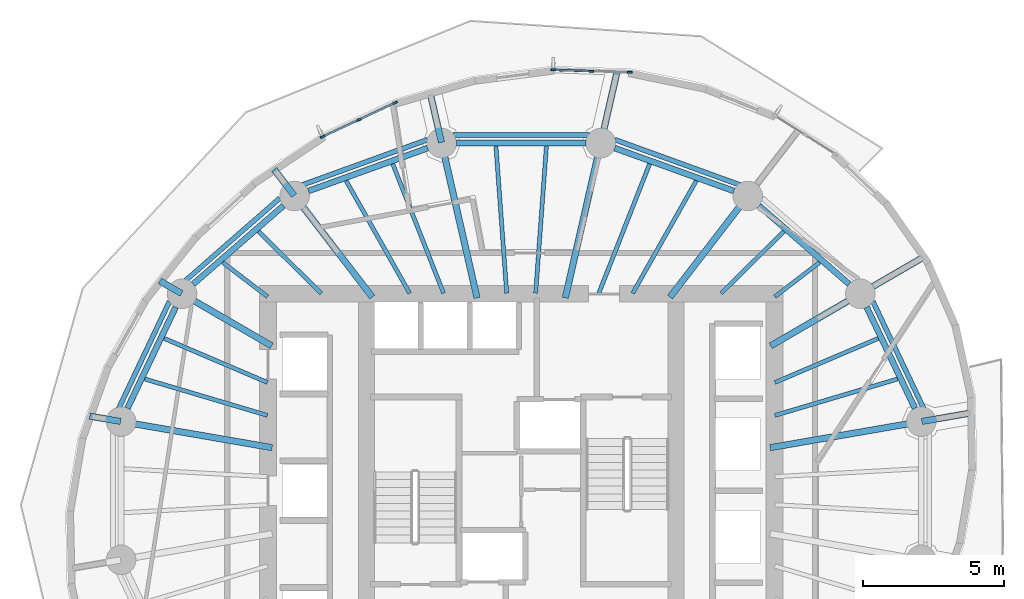
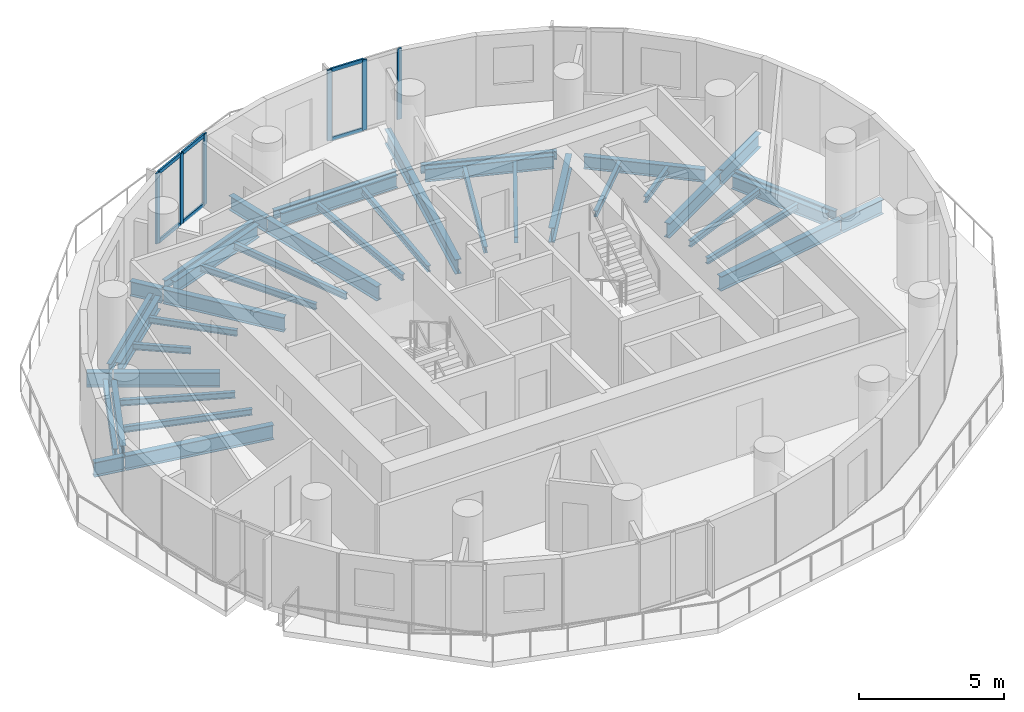
# One storey, part 3 of 13: 42 beams, 12 members, 2 elements without a shape of their own.
"""IFC4 building model written with IfcOpenShell, lengths in metres."""

from ifc_helpers import new_model, si_unit, direction, frame, origin, origin_2d, place, context, subcontext, project, spatial, rectangle, i_section, extrude, material, material_profile, profile_set, type_object, element, aggregate, save


model = new_model("IFC4")

# Units and contexts
model_context = context("Model", 3, precision=1e-05, world=origin(), true_north=direction((0.0, 1.0)))
body_context = subcontext(model_context, "Body", "Model", "MODEL_VIEW")
ifc_project = project(units=[si_unit("LENGTHUNIT", "METRE"), si_unit("AREAUNIT", "SQUARE_METRE"), si_unit("VOLUMEUNIT", "CUBIC_METRE"), si_unit("PLANEANGLEUNIT", "RADIAN"), si_unit("MASSUNIT", "GRAM", prefix="KILO")], contexts=[model_context])

# Site, building, storey
site_placement = place(None, origin())
site = spatial("IfcSite", under=ifc_project, at=site_placement, CompositionType="ELEMENT")
building_placement = place(site_placement, origin())
building = spatial("IfcBuilding", under=site, at=building_placement, Name="Veldorim Arch Residences", CompositionType="ELEMENT")
storey_placement = place(building_placement, frame((0.0, 0.0, 120.159912109375)))
storey = spatial("IfcBuildingStorey", under=building, at=storey_placement, Name="L35", CompositionType="ELEMENT", Elevation=120.159912109375)

# Beams
ifc_material_1 = material(Name="Steel S355", Category="steel")
ifc_material_profile_1 = material_profile(ifc_material_1, i_section(OverallWidth=0.2099609375, OverallDepth=0.53662109375, WebThickness=0.0107421875, FlangeThickness=0.017333984375, at=origin_2d()), Name="UB533x210x101")
ifc_profile_set_1 = profile_set([ifc_material_profile_1], Name="Steel S355")
beam_type_1 = type_object("IfcBeamType", Name="Structural Steel Beam UB533x210x101", PredefinedType="BEAM", material=ifc_profile_set_1)
beam_1_placement = place(storey_placement, frame((45.99560546875, 26.931884765625, -0.50830078125), z_axis=(-0.43028577851, 0.902692721147, 0.0), x_axis=(-0.902692721147, -0.43028577851, 0.0)))
element("IfcBeam", 1, at=beam_1_placement, inside=storey, type_object=beam_type_1, Name="L35 perimeter ring tie beam 01", PredefinedType="BEAM", context=body_context, shape_type="SweptSolid", body=[
    extrude(i_section(OverallWidth=0.2099609375, OverallDepth=0.53662109375, WebThickness=0.0107421875, FlangeThickness=0.017333984375, at=origin_2d()), origin(), (0.0, 0.0, 1.0), 3.98193359375),
])
beam_2_placement = place(storey_placement, frame((43.659912109375, 31.344482421875, -0.50830078125), z_axis=(-0.754810789581, 0.655942582802, 0.0), x_axis=(-0.655942582802, -0.754810789581, 0.0)))
element("IfcBeam", 2, at=beam_2_placement, inside=storey, type_object=beam_type_1, Name="L35 perimeter ring tie beam 02", PredefinedType="BEAM", context=body_context, shape_type="SweptSolid", body=[
    extrude(i_section(OverallWidth=0.2099609375, OverallDepth=0.53662109375, WebThickness=0.0107421875, FlangeThickness=0.017333984375, at=origin_2d()), origin(), (0.0, 0.0, 1.0), 4.249755859375),
])
beam_3_placement = place(storey_placement, frame((39.561767578125, 34.654296875, -0.50830078125), z_axis=(-0.940899155006, 0.338686846673, 0.0), x_axis=(-0.338686846673, -0.940899155006, 0.0)))
element("IfcBeam", 3, at=beam_3_placement, inside=storey, type_object=beam_type_1, Name="L35 perimeter ring tie beam 03", PredefinedType="BEAM", context=body_context, shape_type="SweptSolid", body=[
    extrude(i_section(OverallWidth=0.2099609375, OverallDepth=0.53662109375, WebThickness=0.0107421875, FlangeThickness=0.017333984375, at=origin_2d()), origin(), (0.0, 0.0, 1.0), 4.50537109375),
])
beam_4_placement = place(storey_placement, frame((34.3037109375, 36.35791015625, -0.50830078125), z_axis=(-1.0, 0.0, 0.0), x_axis=(0.0, -1.0, 0.0)))
element("IfcBeam", 4, at=beam_4_placement, inside=storey, type_object=beam_type_1, Name="L35 perimeter ring tie beam 04", PredefinedType="BEAM", context=body_context, shape_type="SweptSolid", body=[
    extrude(i_section(OverallWidth=0.2099609375, OverallDepth=0.53662109375, WebThickness=0.0107421875, FlangeThickness=0.017333984375, at=origin_2d()), origin(), (0.0, 0.0, 1.0), 4.607421875),
])
beam_5_placement = place(storey_placement, frame((28.67724609375, 36.18017578125, -0.50830078125), z_axis=(-0.940899155006, -0.338686846673, 0.0), x_axis=(0.338686846673, -0.940899155006, 0.0)))
element("IfcBeam", 5, at=beam_5_placement, inside=storey, type_object=beam_type_1, Name="L35 perimeter ring tie beam 05", PredefinedType="BEAM", context=body_context, shape_type="SweptSolid", body=[
    extrude(i_section(OverallWidth=0.2099609375, OverallDepth=0.53662109375, WebThickness=0.0107421875, FlangeThickness=0.017333984375, at=origin_2d()), origin(), (0.0, 0.0, 1.0), 4.50537109375),
])
beam_6_placement = place(storey_placement, frame((23.5478515625, 34.132080078125, -0.50830078125), z_axis=(-0.754810789581, -0.655942582802, 0.0), x_axis=(0.655942582802, -0.754810789581, 0.0)))
element("IfcBeam", 6, at=beam_6_placement, inside=storey, type_object=beam_type_1, Name="L35 perimeter ring tie beam 06", PredefinedType="BEAM", context=body_context, shape_type="SweptSolid", body=[
    extrude(i_section(OverallWidth=0.2099609375, OverallDepth=0.53662109375, WebThickness=0.0107421875, FlangeThickness=0.017333984375, at=origin_2d()), origin(), (0.0, 0.0, 1.0), 4.249755859375),
])
beam_7_placement = place(storey_placement, frame((19.7177734375, 30.5263671875, -0.50830078125), z_axis=(-0.43028577851, -0.902692721147, 0.0), x_axis=(0.902692721147, -0.43028577851, 0.0)))
element("IfcBeam", 7, at=beam_7_placement, inside=storey, type_object=beam_type_1, Name="L35 perimeter ring tie beam 07", PredefinedType="BEAM", context=body_context, shape_type="SweptSolid", body=[
    extrude(i_section(OverallWidth=0.2099609375, OverallDepth=0.53662109375, WebThickness=0.0107421875, FlangeThickness=0.017333984375, at=origin_2d()), origin(), (0.0, 0.0, 1.0), 3.98193359375),
])
ifc_material_2 = material(Name="Steel S355", Category="steel")
ifc_material_profile_2 = material_profile(ifc_material_2, i_section(OverallWidth=0.22900390625, OverallDepth=0.6123046875, WebThickness=0.011962890625, FlangeThickness=0.01953125, at=origin_2d()), Name="UB610x229x125")
ifc_profile_set_2 = profile_set([ifc_material_profile_2], Name="Steel S355")
beam_type_2 = type_object("IfcBeamType", Name="Structural Steel Beam UB610x229x125", PredefinedType="BEAM", material=ifc_profile_set_2)
beam_8_placement = place(storey_placement, frame((40.852294921875, 25.530029296875, -0.5458984375), z_axis=(0.985390445301, 0.170310511449, 0.0), x_axis=(-0.170310511449, 0.985390445301, 0.0)))
element("IfcBeam", 8, at=beam_8_placement, inside=storey, type_object=beam_type_2, Name="L35 radial floor girder 01", PredefinedType="BEAM", context=body_context, shape_type="SweptSolid", body=[
    extrude(i_section(OverallWidth=0.22900390625, OverallDepth=0.6123046875, WebThickness=0.011962890625, FlangeThickness=0.01953125, at=origin_2d()), origin(), (0.0, 0.0, 1.0), 5.4287109375),
])
beam_9_placement = place(storey_placement, frame((46.2412109375, 26.46142578125, -0.5458984375), z_axis=(0.985383639517, 0.170349883982, 0.0), x_axis=(-0.170349883982, 0.985383639517, 0.0)))
element("IfcBeam", 9, at=beam_9_placement, inside=storey, type_object=beam_type_2, Name="L35 radial edge cantilever girder 01", PredefinedType="BEAM", context=body_context, shape_type="SweptSolid", body=[
    extrude(i_section(OverallWidth=0.22900390625, OverallDepth=0.6123046875, WebThickness=0.011962890625, FlangeThickness=0.01953125, at=origin_2d()), origin(), (0.0, 0.0, 1.0), 1.80859375),
])
beam_10_placement = place(storey_placement, frame((40.870361328125, 29.150390625, -0.5458984375), z_axis=(0.864794546612, 0.502125872815, 0.0), x_axis=(-0.502125872815, 0.864794546612, 0.0)))
element("IfcBeam", 10, at=beam_10_placement, inside=storey, type_object=beam_type_2, Name="L35 radial floor girder 02", PredefinedType="BEAM", context=body_context, shape_type="SweptSolid", body=[
    extrude(i_section(OverallWidth=0.22900390625, OverallDepth=0.6123046875, WebThickness=0.011962890625, FlangeThickness=0.01953125, at=origin_2d()), origin(), (0.0, 0.0, 1.0), 3.6640625),
])
beam_11_placement = place(storey_placement, frame((44.073486328125, 31.01025390625, -0.5458984375), z_axis=(0.864791558459, 0.502131019175, 0.0), x_axis=(-0.502131019175, 0.864791558459, 0.0)))
element("IfcBeam", 11, at=beam_11_placement, inside=storey, type_object=beam_type_2, Name="L35 radial edge cantilever girder 02", PredefinedType="BEAM", context=body_context, shape_type="SweptSolid", body=[
    extrude(i_section(OverallWidth=0.22900390625, OverallDepth=0.6123046875, WebThickness=0.011962890625, FlangeThickness=0.01953125, at=origin_2d()), origin(), (0.0, 0.0, 1.0), 2.61865234375),
])
beam_12_placement = place(storey_placement, frame((37.291259765625, 30.881103515625, -0.5458984375), z_axis=(0.609559199361, 0.792740551804, 0.0), x_axis=(-0.792740551804, 0.609559199361, 0.0)))
element("IfcBeam", 12, at=beam_12_placement, inside=storey, type_object=beam_type_2, Name="L35 radial floor girder 03", PredefinedType="BEAM", context=body_context, shape_type="SweptSolid", body=[
    extrude(i_section(OverallWidth=0.22900390625, OverallDepth=0.6123046875, WebThickness=0.011962890625, FlangeThickness=0.01953125, at=origin_2d()), origin(), (0.0, 0.0, 1.0), 4.515380859375),
])
beam_13_placement = place(storey_placement, frame((33.56884765625, 30.853759765625, -0.5458984375), z_axis=(0.223119342184, 0.974791136164, 0.0), x_axis=(-0.974791136164, 0.223119342184, 0.0)))
element("IfcBeam", 13, at=beam_13_placement, inside=storey, type_object=beam_type_2, Name="L35 radial floor girder 04", PredefinedType="BEAM", context=body_context, shape_type="SweptSolid", body=[
    extrude(i_section(OverallWidth=0.22900390625, OverallDepth=0.6123046875, WebThickness=0.011962890625, FlangeThickness=0.01953125, at=origin_2d()), origin(), (0.0, 0.0, 1.0), 5.62646484375),
])
beam_14_placement = place(storey_placement, frame((34.833251953125, 36.37744140625, -0.5458984375), z_axis=(0.223142594035, 0.97478581377, 0.0), x_axis=(-0.97478581377, 0.223142594035, 0.0)))
element("IfcBeam", 14, at=beam_14_placement, inside=storey, type_object=beam_type_2, Name="L35 radial edge cantilever girder 04", PredefinedType="BEAM", context=body_context, shape_type="SweptSolid", body=[
    extrude(i_section(OverallWidth=0.22900390625, OverallDepth=0.6123046875, WebThickness=0.011962890625, FlangeThickness=0.01953125, at=origin_2d()), origin(), (0.0, 0.0, 1.0), 2.565673828125),
])
beam_15_placement = place(storey_placement, frame((30.43115234375, 30.853759765625, -0.5458984375), z_axis=(-0.223119342184, 0.974791136164, 0.0), x_axis=(-0.974791136164, -0.223119342184, 0.0)))
element("IfcBeam", 15, at=beam_15_placement, inside=storey, type_object=beam_type_2, Name="L35 radial floor girder 05", PredefinedType="BEAM", context=body_context, shape_type="SweptSolid", body=[
    extrude(i_section(OverallWidth=0.22900390625, OverallDepth=0.6123046875, WebThickness=0.011962890625, FlangeThickness=0.01953125, at=origin_2d()), origin(), (0.0, 0.0, 1.0), 5.62646484375),
])
beam_16_placement = place(storey_placement, frame((29.166748046875, 36.37744140625, -0.5458984375), z_axis=(-0.223186859378, 0.974775679734, 0.0), x_axis=(-0.974775679734, -0.223186859378, 0.0)))
element("IfcBeam", 16, at=beam_16_placement, inside=storey, type_object=beam_type_2, Name="L35 radial edge cantilever girder 05", PredefinedType="BEAM", context=body_context, shape_type="SweptSolid", body=[
    extrude(i_section(OverallWidth=0.22900390625, OverallDepth=0.6123046875, WebThickness=0.011962890625, FlangeThickness=0.01953125, at=origin_2d()), origin(), (0.0, 0.0, 1.0), 1.8125),
])
beam_17_placement = place(storey_placement, frame((26.708740234375, 30.881103515625, -0.5458984375), z_axis=(-0.609559199361, 0.792740551804, 0.0), x_axis=(-0.792740551804, -0.609559199361, 0.0)))
element("IfcBeam", 17, at=beam_17_placement, inside=storey, type_object=beam_type_2, Name="L35 radial floor girder 06", PredefinedType="BEAM", context=body_context, shape_type="SweptSolid", body=[
    extrude(i_section(OverallWidth=0.22900390625, OverallDepth=0.6123046875, WebThickness=0.011962890625, FlangeThickness=0.01953125, at=origin_2d()), origin(), (0.0, 0.0, 1.0), 4.515380859375),
])
beam_18_placement = place(storey_placement, frame((23.931884765625, 34.492431640625, -0.5458984375), z_axis=(-0.609469636412, 0.792809411077, 0.0), x_axis=(-0.792809411077, -0.609469636412, 0.0)))
element("IfcBeam", 18, at=beam_18_placement, inside=storey, type_object=beam_type_2, Name="L35 radial edge cantilever girder 06", PredefinedType="BEAM", context=body_context, shape_type="SweptSolid", body=[
    extrude(i_section(OverallWidth=0.22900390625, OverallDepth=0.6123046875, WebThickness=0.011962890625, FlangeThickness=0.01953125, at=origin_2d()), origin(), (0.0, 0.0, 1.0), 1.174560546875),
])
beam_19_placement = place(storey_placement, frame((23.129638671875, 29.150390625, -0.5458984375), z_axis=(-0.864794546612, 0.502125872815, 0.0), x_axis=(-0.502125872815, -0.864794546612, 0.0)))
element("IfcBeam", 19, at=beam_19_placement, inside=storey, type_object=beam_type_2, Name="L35 radial floor girder 07", PredefinedType="BEAM", context=body_context, shape_type="SweptSolid", body=[
    extrude(i_section(OverallWidth=0.22900390625, OverallDepth=0.6123046875, WebThickness=0.011962890625, FlangeThickness=0.01953125, at=origin_2d()), origin(), (0.0, 0.0, 1.0), 3.6640625),
])
beam_20_placement = place(storey_placement, frame((19.926513671875, 31.01025390625, -0.5458984375), z_axis=(-0.864861987655, 0.502009703402, 0.0), x_axis=(-0.502009703402, -0.864861987655, 0.0)))
element("IfcBeam", 20, at=beam_20_placement, inside=storey, type_object=beam_type_2, Name="L35 radial edge cantilever girder 07", PredefinedType="BEAM", context=body_context, shape_type="SweptSolid", body=[
    extrude(i_section(OverallWidth=0.22900390625, OverallDepth=0.6123046875, WebThickness=0.011962890625, FlangeThickness=0.01953125, at=origin_2d()), origin(), (0.0, 0.0, 1.0), 0.889404296875),
])
beam_21_placement = place(storey_placement, frame((23.147705078125, 25.530029296875, -0.5458984375), z_axis=(-0.985390445301, 0.170310511449, 0.0), x_axis=(-0.170310511449, -0.985390445301, 0.0)))
element("IfcBeam", 21, at=beam_21_placement, inside=storey, type_object=beam_type_2, Name="L35 radial floor girder 08", PredefinedType="BEAM", context=body_context, shape_type="SweptSolid", body=[
    extrude(i_section(OverallWidth=0.22900390625, OverallDepth=0.6123046875, WebThickness=0.011962890625, FlangeThickness=0.01953125, at=origin_2d()), origin(), (0.0, 0.0, 1.0), 5.4287109375),
])
beam_22_placement = place(storey_placement, frame((17.7587890625, 26.46142578125, -0.5458984375), z_axis=(-0.985367514193, 0.170443134134, 0.0), x_axis=(-0.170443134134, -0.985367514193, 0.0)))
element("IfcBeam", 22, at=beam_22_placement, inside=storey, type_object=beam_type_2, Name="L35 radial edge cantilever girder 08", PredefinedType="BEAM", context=body_context, shape_type="SweptSolid", body=[
    extrude(i_section(OverallWidth=0.22900390625, OverallDepth=0.6123046875, WebThickness=0.011962890625, FlangeThickness=0.01953125, at=origin_2d()), origin(), (0.0, 0.0, 1.0), 1.113037109375),
])
ifc_material_3 = material(Name="Steel S355", Category="steel")
ifc_material_profile_3 = material_profile(ifc_material_3, i_section(OverallWidth=0.146484375, OverallDepth=0.256103515625, WebThickness=0.00634765625, FlangeThickness=0.010986328125, at=origin_2d()), Name="UB254x146x37")
ifc_profile_set_3 = profile_set([ifc_material_profile_3], Name="Steel S355")
beam_type_3 = type_object("IfcBeamType", Name="Structural Steel Joist UB254x146x37", PredefinedType="JOIST", material=ifc_profile_set_3)
beam_23_placement = place(storey_placement, frame((41.019287109375, 26.677001953125, -0.367919921875), z_axis=(0.95868163277, 0.284481154014, 0.0), x_axis=(-0.284481154014, 0.95868163277, 0.0)))
element("IfcBeam", 23, at=beam_23_placement, inside=storey, type_object=beam_type_3, Name="L35 secondary radial floor joist 01-1", PredefinedType="JOIST", context=body_context, shape_type="SweptSolid", body=[
    extrude(i_section(OverallWidth=0.146484375, OverallDepth=0.256103515625, WebThickness=0.00634765625, FlangeThickness=0.010986328125, at=origin_2d()), origin(), (0.0, 0.0, 1.0), 4.54931640625),
])
beam_24_placement = place(storey_placement, frame((41.018310546875, 27.84619140625, -0.367919921875), z_axis=(0.919823469329, 0.392332493265, 0.0), x_axis=(-0.392332493265, 0.919823469329, 0.0)))
element("IfcBeam", 24, at=beam_24_placement, inside=storey, type_object=beam_type_3, Name="L35 secondary radial floor joist 01-2", PredefinedType="JOIST", context=body_context, shape_type="SweptSolid", body=[
    extrude(i_section(OverallWidth=0.146484375, OverallDepth=0.256103515625, WebThickness=0.00634765625, FlangeThickness=0.010986328125, at=origin_2d()), origin(), (0.0, 0.0, 1.0), 3.993896484375),
])
beam_25_placement = place(storey_placement, frame((41.015869140625, 30.89697265625, -0.367919921875), z_axis=(0.794312925337, 0.607508828448, 0.0), x_axis=(-0.607508828448, 0.794312925337, 0.0)))
element("IfcBeam", 25, at=beam_25_placement, inside=storey, type_object=beam_type_3, Name="L35 secondary radial floor joist 02-1", PredefinedType="JOIST", context=body_context, shape_type="SweptSolid", body=[
    extrude(i_section(OverallWidth=0.146484375, OverallDepth=0.256103515625, WebThickness=0.00634765625, FlangeThickness=0.010986328125, at=origin_2d()), origin(), (0.0, 0.0, 1.0), 2.006103515625),
])
beam_26_placement = place(storey_placement, frame((39.105712890625, 31.013916015625, -0.367919921875), z_axis=(0.711683379532, 0.702500368183, 0.0), x_axis=(-0.702500368183, 0.711683379532, 0.0)))
element("IfcBeam", 26, at=beam_26_placement, inside=storey, type_object=beam_type_3, Name="L35 secondary radial floor joist 02-2", PredefinedType="JOIST", context=body_context, shape_type="SweptSolid", body=[
    extrude(i_section(OverallWidth=0.146484375, OverallDepth=0.256103515625, WebThickness=0.00634765625, FlangeThickness=0.010986328125, at=origin_2d()), origin(), (0.0, 0.0, 1.0), 3.13720703125),
])
beam_27_placement = place(storey_placement, frame((35.96337890625, 31.017333984375, -0.367919921875), z_axis=(0.491815801586, 0.870699269157, 0.0), x_axis=(-0.870699269157, 0.491815801586, 0.0)))
element("IfcBeam", 27, at=beam_27_placement, inside=storey, type_object=beam_type_3, Name="L35 secondary radial floor joist 03-1", PredefinedType="JOIST", context=body_context, shape_type="SweptSolid", body=[
    extrude(i_section(OverallWidth=0.146484375, OverallDepth=0.256103515625, WebThickness=0.00634765625, FlangeThickness=0.010986328125, at=origin_2d()), origin(), (0.0, 0.0, 1.0), 4.59814453125),
])
beam_28_placement = place(storey_placement, frame((34.7587890625, 31.0185546875, -0.367919921875), z_axis=(0.365777738491, 0.930702232739, 0.0), x_axis=(-0.930702232739, 0.365777738491, 0.0)))
element("IfcBeam", 28, at=beam_28_placement, inside=storey, type_object=beam_type_3, Name="L35 secondary radial floor joist 03-2", PredefinedType="JOIST", context=body_context, shape_type="SweptSolid", body=[
    extrude(i_section(OverallWidth=0.146484375, OverallDepth=0.256103515625, WebThickness=0.00634765625, FlangeThickness=0.010986328125, at=origin_2d()), origin(), (0.0, 0.0, 1.0), 4.9404296875),
])
for number, where, z_axis, x_axis, name in (
    (29, (32.51416015625, 31.02001953125, -0.367919921875), (0.073060364166, 0.997327520521, 0.0), (-0.997327520521, 0.073060364166, 0.0), "L35 secondary radial floor joist 04-1"),
    (30, (31.48583984375, 31.02001953125, -0.367919921875), (-0.073060364166, 0.997327520521, 0.0), (-0.997327520521, -0.073060364166, 0.0), "L35 secondary radial floor joist 04-2"),
):
    element("IfcBeam", number, at=place(storey_placement, frame(where, z_axis=z_axis, x_axis=x_axis)), inside=storey, type_object=beam_type_3, Name=name, PredefinedType="JOIST", context=body_context, shape_type="SweptSolid", body=[
        extrude(i_section(OverallWidth=0.146484375, OverallDepth=0.256103515625, WebThickness=0.00634765625, FlangeThickness=0.010986328125, at=origin_2d()), origin(), (0.0, 0.0, 1.0), 5.242919921875),
    ])
beam_29_placement = place(storey_placement, frame((29.2412109375, 31.0185546875, -0.367919921875), z_axis=(-0.365777738491, 0.930702232739, 0.0), x_axis=(-0.930702232739, -0.365777738491, 0.0)))
element("IfcBeam", 31, at=beam_29_placement, inside=storey, type_object=beam_type_3, Name="L35 secondary radial floor joist 05-1", PredefinedType="JOIST", context=body_context, shape_type="SweptSolid", body=[
    extrude(i_section(OverallWidth=0.146484375, OverallDepth=0.256103515625, WebThickness=0.00634765625, FlangeThickness=0.010986328125, at=origin_2d()), origin(), (0.0, 0.0, 1.0), 4.9404296875),
])
beam_30_placement = place(storey_placement, frame((28.03662109375, 31.017333984375, -0.367919921875), z_axis=(-0.491815801586, 0.870699269157, 0.0), x_axis=(-0.870699269157, -0.491815801586, 0.0)))
element("IfcBeam", 32, at=beam_30_placement, inside=storey, type_object=beam_type_3, Name="L35 secondary radial floor joist 05-2", PredefinedType="JOIST", context=body_context, shape_type="SweptSolid", body=[
    extrude(i_section(OverallWidth=0.146484375, OverallDepth=0.256103515625, WebThickness=0.00634765625, FlangeThickness=0.010986328125, at=origin_2d()), origin(), (0.0, 0.0, 1.0), 4.59814453125),
])
beam_31_placement = place(storey_placement, frame((24.894287109375, 31.013916015625, -0.367919921875), z_axis=(-0.711683379532, 0.702500368183, 0.0), x_axis=(-0.702500368183, -0.711683379532, 0.0)))
element("IfcBeam", 33, at=beam_31_placement, inside=storey, type_object=beam_type_3, Name="L35 secondary radial floor joist 06-1", PredefinedType="JOIST", context=body_context, shape_type="SweptSolid", body=[
    extrude(i_section(OverallWidth=0.146484375, OverallDepth=0.256103515625, WebThickness=0.00634765625, FlangeThickness=0.010986328125, at=origin_2d()), origin(), (0.0, 0.0, 1.0), 3.13720703125),
])
beam_32_placement = place(storey_placement, frame((22.984130859375, 30.89697265625, -0.367919921875), z_axis=(-0.794312925337, 0.607508828448, 0.0), x_axis=(-0.607508828448, -0.794312925337, 0.0)))
element("IfcBeam", 34, at=beam_32_placement, inside=storey, type_object=beam_type_3, Name="L35 secondary radial floor joist 06-2", PredefinedType="JOIST", context=body_context, shape_type="SweptSolid", body=[
    extrude(i_section(OverallWidth=0.146484375, OverallDepth=0.256103515625, WebThickness=0.00634765625, FlangeThickness=0.010986328125, at=origin_2d()), origin(), (0.0, 0.0, 1.0), 2.006103515625),
])
beam_33_placement = place(storey_placement, frame((22.981689453125, 27.84619140625, -0.367919921875), z_axis=(-0.919823469329, 0.392332493265, 0.0), x_axis=(-0.392332493265, -0.919823469329, 0.0)))
element("IfcBeam", 35, at=beam_33_placement, inside=storey, type_object=beam_type_3, Name="L35 secondary radial floor joist 07-1", PredefinedType="JOIST", context=body_context, shape_type="SweptSolid", body=[
    extrude(i_section(OverallWidth=0.146484375, OverallDepth=0.256103515625, WebThickness=0.00634765625, FlangeThickness=0.010986328125, at=origin_2d()), origin(), (0.0, 0.0, 1.0), 3.993896484375),
])
beam_34_placement = place(storey_placement, frame((22.980712890625, 26.677001953125, -0.367919921875), z_axis=(-0.95868163277, 0.284481154014, 0.0), x_axis=(-0.284481154014, -0.95868163277, 0.0)))
element("IfcBeam", 36, at=beam_34_placement, inside=storey, type_object=beam_type_3, Name="L35 secondary radial floor joist 07-2", PredefinedType="JOIST", context=body_context, shape_type="SweptSolid", body=[
    extrude(i_section(OverallWidth=0.146484375, OverallDepth=0.256103515625, WebThickness=0.00634765625, FlangeThickness=0.010986328125, at=origin_2d()), origin(), (0.0, 0.0, 1.0), 4.54931640625),
])
ifc_material_4 = material(Name="Steel S355", Category="steel")
ifc_material_profile_4 = material_profile(ifc_material_4, i_section(OverallWidth=0.172119140625, OverallDepth=0.35791015625, WebThickness=0.008056640625, FlangeThickness=0.012939453125, at=origin_2d()), Name="UB356x171x57")
ifc_profile_set_4 = profile_set([ifc_material_profile_4], Name="Steel S355")
beam_type_4 = type_object("IfcBeamType", Name="Structural Steel Spandrel UB356x171x57", PredefinedType="SPANDREL", material=ifc_profile_set_4)
beam_35_placement = place(storey_placement, frame((46.307861328125, 26.9248046875, -0.43896484375), z_axis=(-0.428579957662, 0.903503857153, 0.0), x_axis=(-0.903503857153, -0.428579957662, 0.0)))
element("IfcBeam", 37, at=beam_35_placement, inside=storey, type_object=beam_type_4, Name="L35 perimeter chord spandrel beam 01", PredefinedType="SPANDREL", context=body_context, shape_type="SweptSolid", body=[
    extrude(i_section(OverallWidth=0.172119140625, OverallDepth=0.35791015625, WebThickness=0.008056640625, FlangeThickness=0.012939453125, at=origin_2d()), origin(), (0.0, 0.0, 1.0), 4.209228515625),
])
beam_36_placement = place(storey_placement, frame((39.79736328125, 34.86279296875, -0.43896484375), z_axis=(-0.940212553113, 0.340588248429, 0.0), x_axis=(-0.340588248429, -0.940212553113, 0.0)))
element("IfcBeam", 38, at=beam_36_placement, inside=storey, type_object=beam_type_4, Name="L35 perimeter chord spandrel beam 03", PredefinedType="SPANDREL", context=body_context, shape_type="SweptSolid", body=[
    extrude(i_section(OverallWidth=0.172119140625, OverallDepth=0.35791015625, WebThickness=0.008056640625, FlangeThickness=0.012939453125, at=origin_2d()), origin(), (0.0, 0.0, 1.0), 4.75390625),
])
beam_37_placement = place(storey_placement, frame((34.43115234375, 36.639404296875, -0.43896484375), z_axis=(-1.0, 0.0, 0.0), x_axis=(0.0, -1.0, 0.0)))
element("IfcBeam", 39, at=beam_37_placement, inside=storey, type_object=beam_type_4, Name="L35 perimeter chord spandrel beam 04", PredefinedType="SPANDREL", context=body_context, shape_type="SweptSolid", body=[
    extrude(i_section(OverallWidth=0.172119140625, OverallDepth=0.35791015625, WebThickness=0.008056640625, FlangeThickness=0.012939453125, at=origin_2d()), origin(), (0.0, 0.0, 1.0), 4.8623046875),
])
beam_38_placement = place(storey_placement, frame((28.67236328125, 36.48193359375, -0.43896484375), z_axis=(-0.940212553113, -0.340588248429, 0.0), x_axis=(0.340588248429, -0.940212553113, 0.0)))
element("IfcBeam", 40, at=beam_38_placement, inside=storey, type_object=beam_type_4, Name="L35 perimeter chord spandrel beam 05", PredefinedType="SPANDREL", context=body_context, shape_type="SweptSolid", body=[
    extrude(i_section(OverallWidth=0.172119140625, OverallDepth=0.35791015625, WebThickness=0.008056640625, FlangeThickness=0.012939453125, at=origin_2d()), origin(), (0.0, 0.0, 1.0), 4.75390625),
])
beam_39_placement = place(storey_placement, frame((23.42041015625, 34.4013671875, -0.43896484375), z_axis=(-0.753014748982, -0.658003638148, 0.0), x_axis=(0.658003638148, -0.753014748982, 0.0)))
element("IfcBeam", 41, at=beam_39_placement, inside=storey, type_object=beam_type_4, Name="L35 perimeter chord spandrel beam 06", PredefinedType="SPANDREL", context=body_context, shape_type="SweptSolid", body=[
    extrude(i_section(OverallWidth=0.172119140625, OverallDepth=0.35791015625, WebThickness=0.008056640625, FlangeThickness=0.012939453125, at=origin_2d()), origin(), (0.0, 0.0, 1.0), 4.486572265625),
])
beam_40_placement = place(storey_placement, frame((19.49609375, 30.727783203125, -0.43896484375), z_axis=(-0.428579957662, -0.903503857153, 0.0), x_axis=(0.903503857153, -0.428579957662, 0.0)))
element("IfcBeam", 42, at=beam_40_placement, inside=storey, type_object=beam_type_4, Name="L35 perimeter chord spandrel beam 07", PredefinedType="SPANDREL", context=body_context, shape_type="SweptSolid", body=[
    extrude(i_section(OverallWidth=0.172119140625, OverallDepth=0.35791015625, WebThickness=0.008056640625, FlangeThickness=0.012939453125, at=origin_2d()), origin(), (0.0, 0.0, 1.0), 4.209228515625),
])

# Curtain wall, members
ifc_material_5 = material(Name="Aluminium", Category="aluminium")
curtain_wall_type = type_object("IfcCurtainWallType", Name="Zone 3 High-Wind Unitised Curtain Wall", PredefinedType="NOTDEFINED", material=ifc_material_5)
curtain_wall_1_placement = place(storey_placement, origin())
curtain_wall_1 = element("IfcCurtainWall", 43, at=curtain_wall_1_placement, inside=storey, type_object=curtain_wall_type, Name="L35 unitised curtain wall bay 06", PredefinedType="NOTDEFINED")
ifc_material_6 = material(Name="Aluminium", Category="aluminium")
ifc_material_profile_5 = material_profile(ifc_material_6, rectangle(XDim=0.070068359375, YDim=0.179931640625, at=origin_2d()), Name="ALU_MUL_70x180")
ifc_profile_set_5 = profile_set([ifc_material_profile_5], Name="Aluminium")
member_type_1 = type_object("IfcMemberType", Name="Zone 3 High-Wind Unitised Curtain Wall Mullion 70x180", PredefinedType="MULLION", material=ifc_profile_set_5)
member_1_placement = place(storey_placement, frame((33.1337890625, 38.963134765625, 0.0), z_axis=(0.0, 0.0, 1.0), x_axis=(0.03374300459, 0.99943054268, 0.0)))
member_1 = element("IfcMember", 44, at=member_1_placement, type_object=member_type_1, Name="CW-Z3 mullion 1", PredefinedType="MULLION", context=body_context, shape_type="SweptSolid", body=[
    extrude(rectangle(XDim=0.070068359375, YDim=0.179931640625, at=origin_2d()), origin(), (0.0, 0.0, 1.0), 2.960205078125),
])
member_2_placement = place(storey_placement, frame((34.49365234375, 38.917236328125, 0.0), z_axis=(0.0, 0.0, 1.0), x_axis=(0.03374300459, 0.99943054268, 0.0)))
member_2 = element("IfcMember", 45, at=member_2_placement, type_object=member_type_1, Name="CW-Z3 mullion 2", PredefinedType="MULLION", context=body_context, shape_type="SweptSolid", body=[
    extrude(rectangle(XDim=0.070068359375, YDim=0.179931640625, at=origin_2d()), origin(), (0.0, 0.0, 1.0), 2.960205078125),
])
member_3_placement = place(storey_placement, frame((35.853759765625, 38.871337890625, 0.0), z_axis=(0.0, 0.0, 1.0), x_axis=(0.03374300459, 0.99943054268, 0.0)))
member_3 = element("IfcMember", 46, at=member_3_placement, type_object=member_type_1, Name="CW-Z3 mullion 3", PredefinedType="MULLION", context=body_context, shape_type="SweptSolid", body=[
    extrude(rectangle(XDim=0.070068359375, YDim=0.179931640625, at=origin_2d()), origin(), (0.0, 0.0, 1.0), 2.960205078125),
])

curtain_wall_2_placement = place(storey_placement, origin())
curtain_wall_2 = element("IfcCurtainWall", 47, at=curtain_wall_2_placement, inside=storey, type_object=curtain_wall_type, Name="L35 unitised curtain wall bay 09", PredefinedType="NOTDEFINED")
member_4_placement = place(storey_placement, frame((24.94189453125, 36.583251953125, 0.0), z_axis=(0.0, 0.0, 1.0), x_axis=(-0.423414341838, 0.905936142963, 0.0)))
member_4 = element("IfcMember", 48, at=member_4_placement, type_object=member_type_1, Name="CW-Z3 mullion 1", PredefinedType="MULLION", context=body_context, shape_type="SweptSolid", body=[
    extrude(rectangle(XDim=0.070068359375, YDim=0.179931640625, at=origin_2d()), origin(), (0.0, 0.0, 1.0), 2.960205078125),
])
member_5_placement = place(storey_placement, frame((26.2275390625, 37.18408203125, 0.0), z_axis=(0.0, 0.0, 1.0), x_axis=(-0.423414341838, 0.905936142963, 0.0)))
member_5 = element("IfcMember", 49, at=member_5_placement, type_object=member_type_1, Name="CW-Z3 mullion 2", PredefinedType="MULLION", context=body_context, shape_type="SweptSolid", body=[
    extrude(rectangle(XDim=0.070068359375, YDim=0.179931640625, at=origin_2d()), origin(), (0.0, 0.0, 1.0), 2.960205078125),
])
member_6_placement = place(storey_placement, frame((27.51318359375, 37.78515625, 0.0), z_axis=(0.0, 0.0, 1.0), x_axis=(-0.423414341838, 0.905936142963, 0.0)))
member_6 = element("IfcMember", 50, at=member_6_placement, type_object=member_type_1, Name="CW-Z3 mullion 3", PredefinedType="MULLION", context=body_context, shape_type="SweptSolid", body=[
    extrude(rectangle(XDim=0.070068359375, YDim=0.179931640625, at=origin_2d()), origin(), (0.0, 0.0, 1.0), 2.960205078125),
])

# Member
ifc_material_7 = material(Name="Aluminium", Category="aluminium")
ifc_material_profile_6 = material_profile(ifc_material_7, rectangle(XDim=0.070068359375, YDim=0.155029296875, at=origin_2d()), Name="ALU_TRN_70x155")
ifc_profile_set_6 = profile_set([ifc_material_profile_6], Name="Aluminium")
member_type_2 = type_object("IfcMemberType", Name="Zone 3 High-Wind Unitised Curtain Wall Transom 70x155", PredefinedType="USERDEFINED", material=ifc_profile_set_6)
member_7_placement = place(storey_placement, frame((33.168701171875, 38.962158203125, 0.03515625), z_axis=(0.999426706713, -0.033856430829, 0.0), x_axis=(0.033856430829, 0.999426706713, 0.0)))
member_7 = element("IfcMember", 51, at=member_7_placement, type_object=member_type_2, Name="CW-Z3 transom 1.1", ObjectType="TRANSOM", PredefinedType="USERDEFINED", context=body_context, shape_type="SweptSolid", body=[
    extrude(rectangle(XDim=0.070068359375, YDim=0.155029296875, at=origin_2d()), origin(), (0.0, 0.0, 1.0), 1.290771484375),
])

member_8_placement = place(storey_placement, frame((33.168701171875, 38.962158203125, 2.925048828125), z_axis=(0.999426706713, -0.033856430829, 0.0), x_axis=(0.033856430829, 0.999426706713, 0.0)))
member_8 = element("IfcMember", 52, at=member_8_placement, type_object=member_type_2, Name="CW-Z3 transom 1.2", ObjectType="TRANSOM", PredefinedType="USERDEFINED", context=body_context, shape_type="SweptSolid", body=[
    extrude(rectangle(XDim=0.070068359375, YDim=0.155029296875, at=origin_2d()), origin(), (0.0, 0.0, 1.0), 1.290771484375),
])

aggregate(curtain_wall_1, [member_1, member_2, member_3, member_7, member_8])

member_9_placement = place(storey_placement, frame((24.9736328125, 36.59814453125, 0.03515625), z_axis=(0.905914811413, 0.423459979765, 0.0), x_axis=(-0.423459979765, 0.905914811413, 0.0)))
member_9 = element("IfcMember", 53, at=member_9_placement, type_object=member_type_2, Name="CW-Z3 transom 1.1", ObjectType="TRANSOM", PredefinedType="USERDEFINED", context=body_context, shape_type="SweptSolid", body=[
    extrude(rectangle(XDim=0.070068359375, YDim=0.155029296875, at=origin_2d()), origin(), (0.0, 0.0, 1.0), 1.34912109375),
])

member_10_placement = place(storey_placement, frame((24.9736328125, 36.59814453125, 2.925048828125), z_axis=(0.905914811413, 0.423459979765, 0.0), x_axis=(-0.423459979765, 0.905914811413, 0.0)))
member_10 = element("IfcMember", 54, at=member_10_placement, type_object=member_type_2, Name="CW-Z3 transom 1.2", ObjectType="TRANSOM", PredefinedType="USERDEFINED", context=body_context, shape_type="SweptSolid", body=[
    extrude(rectangle(XDim=0.070068359375, YDim=0.155029296875, at=origin_2d()), origin(), (0.0, 0.0, 1.0), 1.34912109375),
])

member_11_placement = place(storey_placement, frame((26.25927734375, 37.198974609375, 0.03515625), z_axis=(0.905914811413, 0.423459979765, 0.0), x_axis=(-0.423459979765, 0.905914811413, 0.0)))
member_11 = element("IfcMember", 55, at=member_11_placement, type_object=member_type_2, Name="CW-Z3 transom 2.1", ObjectType="TRANSOM", PredefinedType="USERDEFINED", context=body_context, shape_type="SweptSolid", body=[
    extrude(rectangle(XDim=0.070068359375, YDim=0.155029296875, at=origin_2d()), origin(), (0.0, 0.0, 1.0), 1.34912109375),
])

member_12_placement = place(storey_placement, frame((26.25927734375, 37.198974609375, 2.925048828125), z_axis=(0.905914811413, 0.423459979765, 0.0), x_axis=(-0.423459979765, 0.905914811413, 0.0)))
member_12 = element("IfcMember", 56, at=member_12_placement, type_object=member_type_2, Name="CW-Z3 transom 2.2", ObjectType="TRANSOM", PredefinedType="USERDEFINED", context=body_context, shape_type="SweptSolid", body=[
    extrude(rectangle(XDim=0.070068359375, YDim=0.155029296875, at=origin_2d()), origin(), (0.0, 0.0, 1.0), 1.34912109375),
])

aggregate(curtain_wall_2, [member_4, member_5, member_6, member_9, member_10, member_11, member_12])

save(model, "model.ifc")
